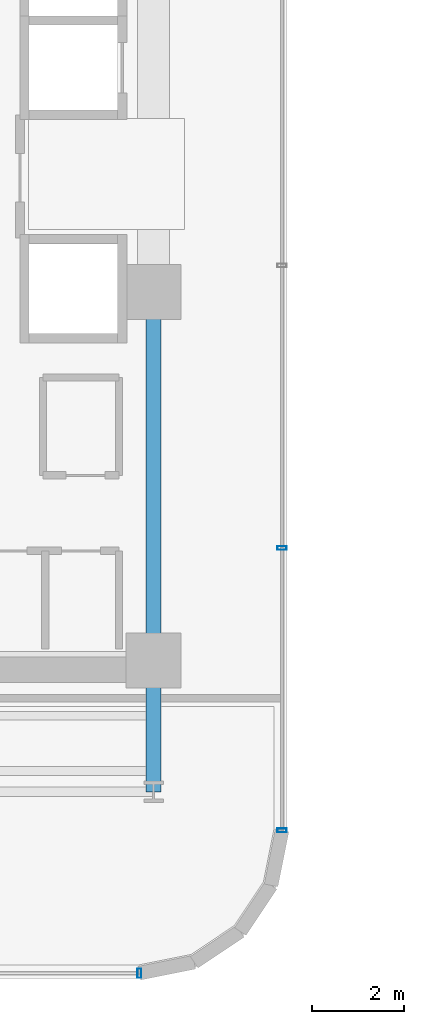
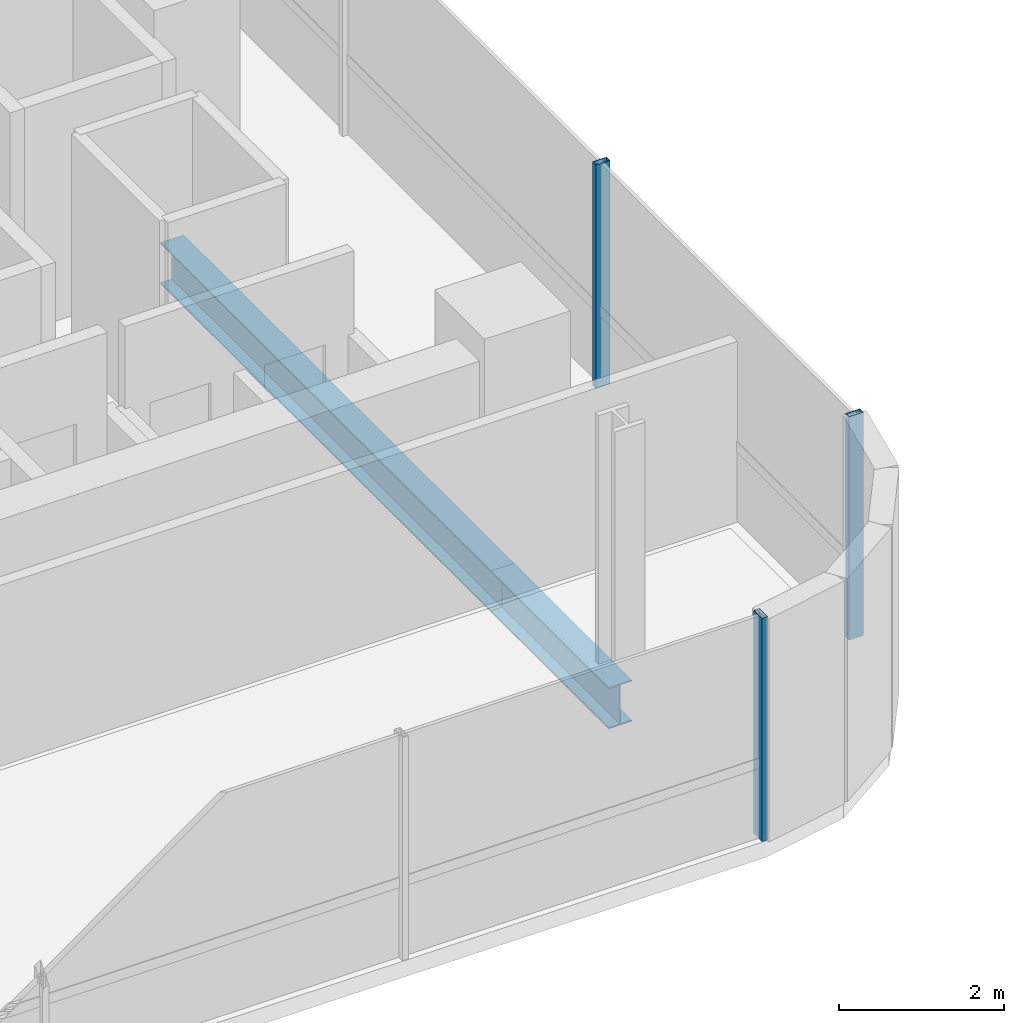
# One storey, part 5 of 35: 3 members, 2 beams, 2 elements without a shape of their own.
"""IFC4 building model written with IfcOpenShell, lengths in metres."""

from ifc_helpers import new_model, si_unit, direction, frame, origin, origin_2d, place, context, subcontext, project, spatial, hollow_rectangle, i_section, extrude, source, transform, mapped, material, material_profile, profile_set, type_object, element, aggregate, save


model = new_model("IFC4")

# Units and contexts
model_context = context("Model", 3, precision=1e-05, world=origin(), true_north=direction((0.0, 1.0)))
body_context = subcontext(model_context, "Body", "Model", "MODEL_VIEW")
ifc_project = project(units=[si_unit("LENGTHUNIT", "METRE"), si_unit("AREAUNIT", "SQUARE_METRE"), si_unit("VOLUMEUNIT", "CUBIC_METRE"), si_unit("PLANEANGLEUNIT", "RADIAN"), si_unit("MASSUNIT", "GRAM", prefix="KILO")], contexts=[model_context])

# Site, building, storey
site_placement = place(None, origin())
site = spatial("IfcSite", under=ifc_project, at=site_placement, CompositionType="ELEMENT")
building_placement = place(site_placement, origin())
building = spatial("IfcBuilding", under=site, at=building_placement, Name="Valdorenza Pilgrim Sanctuary Tower", CompositionType="ELEMENT")
storey_placement = place(building_placement, frame((0.0, 0.0, 168.60009765625)))
storey = spatial("IfcBuildingStorey", under=building, at=storey_placement, Name="L43", CompositionType="ELEMENT", Elevation=168.60009765625)

# Beams
ifc_material_1 = material(Name="Steel ASTM A992 Grade 50", Category="steel")
ifc_material_profile_1 = material_profile(ifc_material_1, i_section(OverallWidth=0.323974609375, OverallDepth=0.611083984375, WebThickness=0.0126953125, FlangeThickness=0.01904296875, at=origin_2d()), Name="W24X104")
ifc_profile_set_1 = profile_set([ifc_material_profile_1], Name="Steel ASTM A992 Grade 50")
beam_type = type_object("IfcBeamType", Name="STR-BM-GRD-W24B", PredefinedType="BEAM", material=ifc_profile_set_1)
shared_shape_1 = source(origin(), body_context, "Body", "SweptSolid", [
    extrude(i_section(OverallWidth=0.323974609375, OverallDepth=0.611083984375, WebThickness=0.0126953125, FlangeThickness=0.01904296875, at=origin_2d()), origin(), (0.0, 0.0, 1.0), 8.0),
])
beam_1_placement = place(storey_placement, frame((-12.39990234375, -10.60009765625, -0.545654296875), z_axis=(0.0, 1.0, 0.0), x_axis=(-1.0, 0.0, 0.0)))
element("IfcBeam", 1, at=beam_1_placement, inside=storey, type_object=beam_type, Name="L43 Core Tie Girder CA-E-S1M0", PredefinedType="BEAM", context=body_context, shape_type="MappedRepresentation", body=[
    mapped(shared_shape_1, transform((0.0, 0.0, 0.0), x_axis=(1.0, 0.0, 0.0), y_axis=(0.0, 1.0, 0.0), z_axis=(0.0, 0.0, 1.0), scale=1.0)),
])
shared_shape_2 = source(origin(), body_context, "Body", "SweptSolid", [
    extrude(i_section(OverallWidth=0.323974609375, OverallDepth=0.611083984375, WebThickness=0.0126953125, FlangeThickness=0.01904296875, at=origin_2d()), origin(), (0.0, 0.0, 1.0), 2.849853515625),
])
beam_2_placement = place(storey_placement, frame((-12.39990234375, -13.449951171875, -0.545654296875), z_axis=(0.0, 1.0, 0.0), x_axis=(-1.0, 0.0, 0.0)))
element("IfcBeam", 2, at=beam_2_placement, inside=storey, type_object=beam_type, Name="L43 Floor Girder WA-S-LE", PredefinedType="BEAM", context=body_context, shape_type="MappedRepresentation", body=[
    mapped(shared_shape_2, transform((0.0, 0.0, 0.0), x_axis=(1.0, 0.0, 0.0), y_axis=(0.0, 1.0, 0.0), z_axis=(0.0, 0.0, 1.0), scale=1.0)),
])

# Curtain wall, members
ifc_material_2 = material(Name="Curtain-wall IGU glazing", Category="glass")
curtain_wall_type = type_object("IfcCurtainWallType", Name="CW-SYS-02", PredefinedType="NOTDEFINED", material=ifc_material_2)
curtain_wall_1_placement = place(storey_placement, origin())
curtain_wall_1 = element("IfcCurtainWall", 3, at=curtain_wall_1_placement, inside=storey, type_object=curtain_wall_type, Name="L43 Curtain Wall CW-L43-1-21", PredefinedType="NOTDEFINED")
ifc_material_3 = material(Name="Anodised aluminium AW-6060", Category="aluminium")
ifc_material_profile_2 = material_profile(ifc_material_3, hollow_rectangle(XDim=0.0849609375, YDim=0.199951171875, WallThickness=0.0048828125, at=origin_2d()), Name="ALU-M 200x85x5")
ifc_profile_set_2 = profile_set([ifc_material_profile_2], Name="Anodised aluminium AW-6060")
member_type = type_object("IfcMemberType", Name="CW-MUL-02", PredefinedType="MULLION", material=ifc_profile_set_2)
shared_shape_3 = source(origin(), body_context, "Body", "SweptSolid", [
    extrude(hollow_rectangle(XDim=0.0849609375, YDim=0.199951171875, WallThickness=0.0048828125, at=origin_2d()), origin(), (0.0, 0.0, 1.0), 3.2998046875),
])
member_1_placement = place(storey_placement, frame((-9.610107421875, -8.156005859375, 0.0), z_axis=(0.0, 0.0, 1.0), x_axis=(0.0, -1.0, 0.0)))
member_1 = element("IfcMember", 4, at=member_1_placement, type_object=member_type, Name="CW-L43-1-21 Mullion 3", PredefinedType="MULLION", context=body_context, shape_type="MappedRepresentation", body=[
    mapped(shared_shape_3, transform((0.0, 0.0, 0.0), x_axis=(1.0, 0.0, 0.0), y_axis=(0.0, 1.0, 0.0), z_axis=(0.0, 0.0, 1.0), scale=1.0)),
])
member_2_placement = place(storey_placement, frame((-9.610107421875, -14.289306640625, 0.0), z_axis=(0.0, 0.0, 1.0), x_axis=(0.0, -1.0, 0.0)))
member_2 = element("IfcMember", 5, at=member_2_placement, type_object=member_type, Name="CW-L43-1-21 Mullion 4", PredefinedType="MULLION", context=body_context, shape_type="MappedRepresentation", body=[
    mapped(shared_shape_3, transform((0.0, 0.0, 0.0), x_axis=(1.0, 0.0, 0.0), y_axis=(0.0, 1.0, 0.0), z_axis=(0.0, 0.0, 1.0), scale=1.0)),
])
aggregate(curtain_wall_1, [member_1, member_2])

# Curtain wall, member
curtain_wall_2_placement = place(storey_placement, origin())
curtain_wall_2 = element("IfcCurtainWall", 6, at=curtain_wall_2_placement, inside=storey, type_object=curtain_wall_type, Name="L43 Curtain Wall CW-L43-1-26", PredefinedType="NOTDEFINED")
member_3_placement = place(storey_placement, frame((-12.710693359375, -17.389892578125, 0.0), z_axis=(0.0, 0.0, 1.0), x_axis=(-1.0, 0.0, 0.0)))
member_3 = element("IfcMember", 7, at=member_3_placement, type_object=member_type, Name="CW-L43-1-26 Mullion 1", PredefinedType="MULLION", context=body_context, shape_type="MappedRepresentation", body=[
    mapped(shared_shape_3, transform((0.0, 0.0, 0.0), x_axis=(1.0, 0.0, 0.0), y_axis=(0.0, 1.0, 0.0), z_axis=(0.0, 0.0, 1.0), scale=1.0)),
])
aggregate(curtain_wall_2, [member_3])

save(model, "model.ifc")
